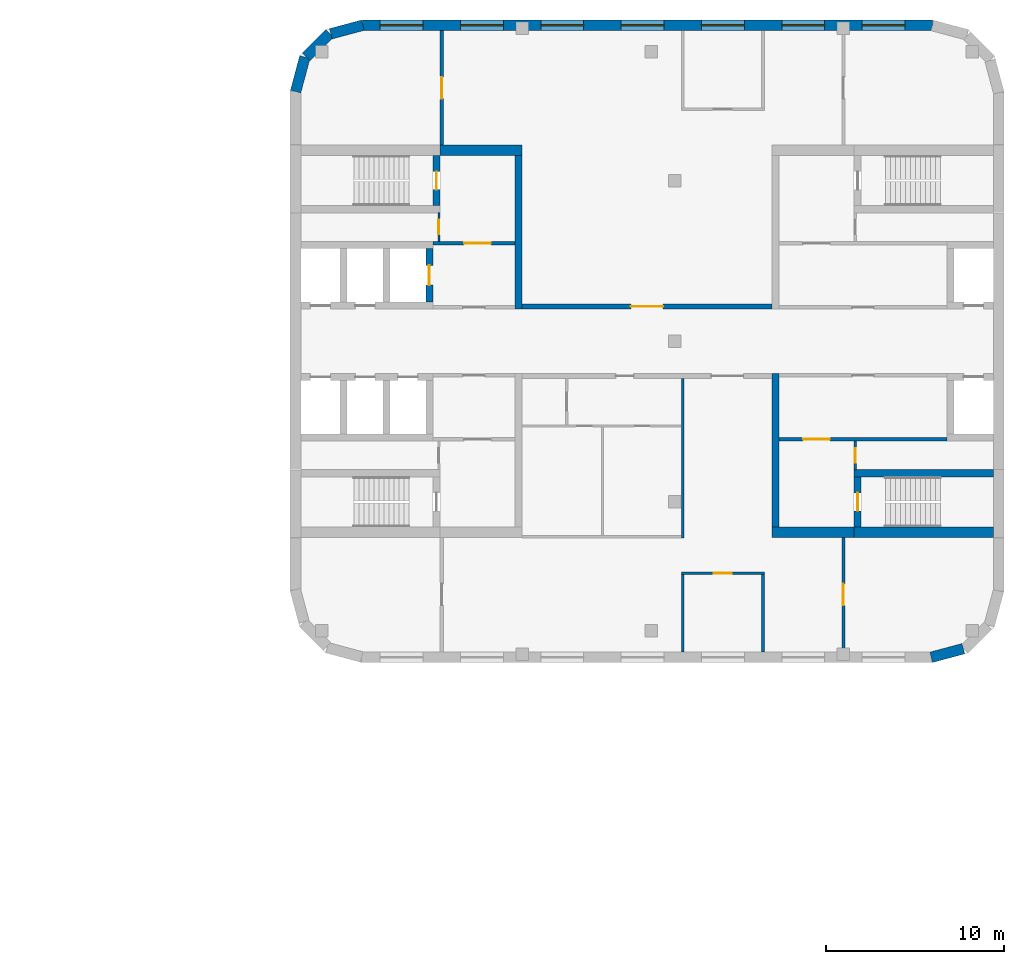
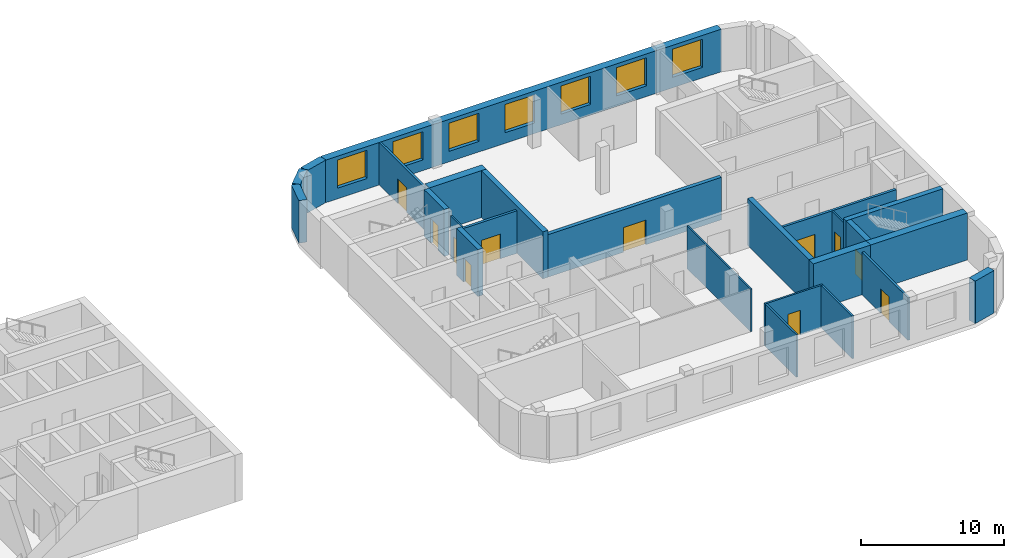
# One storey, part 8 of 12: 25 walls, 11 doors, 7 windows, 18 openings.
"""IFC4 building model written with IfcOpenShell, lengths in metres."""

from ifc_helpers import new_model, si_unit, direction, frame, frame_2d, origin, place, context, subcontext, project, spatial, rectangle, extrude, material, layer, layer_set, type_object, element, fill, save


model = new_model("IFC4")

# Units and contexts
model_context = context("Model", 3, precision=1e-05, world=origin(), true_north=direction((0.0, 1.0)))
body_context = subcontext(model_context, "Body", "Model", "MODEL_VIEW")
ifc_project = project(units=[si_unit("LENGTHUNIT", "METRE"), si_unit("AREAUNIT", "SQUARE_METRE"), si_unit("VOLUMEUNIT", "CUBIC_METRE"), si_unit("PLANEANGLEUNIT", "RADIAN"), si_unit("MASSUNIT", "GRAM", prefix="KILO")], contexts=[model_context])

# Site, building, storey
site_placement = place(None, origin())
site = spatial("IfcSite", under=ifc_project, at=site_placement, CompositionType="ELEMENT")
building_placement = place(site_placement, origin())
building = spatial("IfcBuilding", under=site, at=building_placement, Name="Skarvind Civic Tower", CompositionType="ELEMENT")
storey_placement = place(building_placement, frame((0.0, 0.0, 71.5)))
storey = spatial("IfcBuildingStorey", under=building, at=storey_placement, Name="L16", CompositionType="ELEMENT", Elevation=71.5)

# Wall, opening, door
ifc_material_1 = material(Name="Acoustic gypsum board on steel studs", Category="steel")
ifc_layer_1 = layer(ifc_material_1, 0.175048828125)
ifc_layer_set_1 = layer_set([ifc_layer_1], Name="ACOUSTIC MEETING-ROOM PARTITION 175")
wall_type_1 = type_object("IfcWallType", Name="ACOUSTIC MEETING-ROOM PARTITION 175", PredefinedType="PARTITIONING", material=ifc_layer_set_1)
wall_1_placement = place(storey_placement, frame((135.5, 145.39990234375, 0.0), z_axis=(0.0, 0.0, 1.0), x_axis=(0.0, -1.0, 0.0)))
wall_1 = element("IfcWall", 1, at=wall_1_placement, inside=storey, type_object=wall_type_1, Name="Partition 16.002", PredefinedType="PARTITIONING", context=body_context, shape_type="SweptSolid", body=[
    extrude(rectangle(XDim=6.39990234375, YDim=0.175048828125, at=frame_2d((3.199951171875, 0.0))), origin(), (0.0, 0.0, 1.0), 3.625),
])
opening_1_placement = place(wall_1_placement, frame((2.60009765625, 0.0, 0.0)))
opening_1 = element("IfcOpeningElement", 2, at=opening_1_placement, cuts=wall_1, Name="Opening L16-D103", PredefinedType="OPENING", context=body_context, shape_type="SweptSolid", body=[
    extrude(rectangle(XDim=1.199951171875, YDim=2.10009765625, at=frame_2d((0.60009765625, 1.050048828125))), frame((0.0, 0.097412109375, 0.0), z_axis=(0.0, -1.0, 0.0), x_axis=(1.0, 0.0, 0.0)), (0.0, 0.0, 1.0), 0.195068359375),
])
ifc_material_2 = material(Name="Timber door leaf", Category="wood")
door_type_1 = type_object("IfcDoorType", Name="DOOR 1200X2100 DOUBLE TIMBER", OperationType="NOTDEFINED", PredefinedType="DOOR", material=ifc_material_2)
door_1_placement = place(opening_1_placement, origin())
door_1 = element("IfcDoor", 3, at=door_1_placement, inside=storey, type_object=door_type_1, Name="Door L16-D103", OperationType="DOUBLE_DOOR_SINGLE_SWING", OverallHeight=2.10009765625, OverallWidth=1.199951171875, PredefinedType="DOOR", context=body_context, shape_type="SweptSolid", body=[
    extrude(rectangle(XDim=1.199951171875, YDim=2.10009765625, at=frame_2d((0.60009765625, 1.050048828125))), frame((0.0, 0.02490234375, 0.0), z_axis=(0.0, -1.0, 0.0), x_axis=(1.0, 0.0, 0.0)), (0.0, 0.0, 1.0), 0.050048828125),
])
fill(opening_1, door_1)

wall_2_placement = place(storey_placement, frame((158.0, 110.60009765625, 0.0), z_axis=(0.0, 0.0, 1.0), x_axis=(0.0, 1.0, 0.0)))
wall_2 = element("IfcWall", 4, at=wall_2_placement, inside=storey, type_object=wall_type_1, Name="Partition 16.016", PredefinedType="PARTITIONING", context=body_context, shape_type="SweptSolid", body=[
    extrude(rectangle(XDim=6.39990234375, YDim=0.175048828125, at=frame_2d((3.199951171875, 0.0))), origin(), (0.0, 0.0, 1.0), 3.625),
])
opening_2_placement = place(wall_2_placement, frame((2.60009765625, 0.0, 0.0)))
opening_2 = element("IfcOpeningElement", 5, at=opening_2_placement, cuts=wall_2, Name="Opening L16-D112", PredefinedType="OPENING", context=body_context, shape_type="SweptSolid", body=[
    extrude(rectangle(XDim=1.199951171875, YDim=2.10009765625, at=frame_2d((0.60009765625, 1.050048828125))), frame((0.0, 0.097412109375, 0.0), z_axis=(0.0, -1.0, 0.0), x_axis=(1.0, 0.0, 0.0)), (0.0, 0.0, 1.0), 0.195068359375),
])
door_2_placement = place(opening_2_placement, origin())
door_2 = element("IfcDoor", 6, at=door_2_placement, inside=storey, type_object=door_type_1, Name="Door L16-D112", OperationType="DOUBLE_DOOR_SINGLE_SWING", OverallHeight=2.10009765625, OverallWidth=1.199951171875, PredefinedType="DOOR", context=body_context, shape_type="SweptSolid", body=[
    extrude(rectangle(XDim=1.199951171875, YDim=2.10009765625, at=frame_2d((0.60009765625, 1.050048828125))), frame((0.0, 0.02490234375, 0.0), z_axis=(0.0, -1.0, 0.0), x_axis=(1.0, 0.0, 0.0)), (0.0, 0.0, 1.0), 0.050048828125),
])
fill(opening_2, door_2)

ifc_material_3 = material(Name="Fire-rated gypsum board on steel studs", Category="steel")
ifc_layer_2 = layer(ifc_material_3, 0.300048828125)
ifc_layer_set_2 = layer_set([ifc_layer_2], Name="CORRIDOR WALL 300")
wall_type_2 = type_object("IfcWallType", Name="CORRIDOR WALL 300", PredefinedType="PARTITIONING", material=ifc_layer_set_2)
wall_3_placement = place(storey_placement, frame((140.0, 129.949951171875, 0.0), z_axis=(0.0, 0.0, 1.0), x_axis=(1.0, 0.0, 0.0)))
wall_3 = element("IfcWall", 7, at=wall_3_placement, inside=storey, type_object=wall_type_2, Name="Partition 16.005", PredefinedType="PARTITIONING", context=body_context, shape_type="SweptSolid", body=[
    extrude(rectangle(XDim=14.0, YDim=0.300048828125, at=frame_2d((7.0, 0.0))), origin(), (0.0, 0.0, 1.0), 3.625),
])
opening_3_placement = place(wall_3_placement, frame((6.10009765625, 0.0, 0.0)))
opening_3 = element("IfcOpeningElement", 8, at=opening_3_placement, cuts=wall_3, Name="Opening L16-D101", PredefinedType="OPENING", context=body_context, shape_type="SweptSolid", body=[
    extrude(rectangle(XDim=1.800048828125, YDim=2.10009765625, at=frame_2d((0.89990234375, 1.050048828125))), frame((0.0, 0.159912109375, 0.0), z_axis=(0.0, -1.0, 0.0), x_axis=(1.0, 0.0, 0.0)), (0.0, 0.0, 1.0), 0.320068359375),
])
ifc_material_4 = material(Name="Fire-rated timber door leaf", Category="wood")
door_type_2 = type_object("IfcDoorType", Name="FD4 1800x2100", OperationType="NOTDEFINED", PredefinedType="DOOR", material=ifc_material_4)
door_3_placement = place(opening_3_placement, origin())
door_3 = element("IfcDoor", 9, at=door_3_placement, inside=storey, type_object=door_type_2, Name="Door L16-D101", OperationType="DOUBLE_DOOR_SINGLE_SWING", OverallHeight=2.10009765625, OverallWidth=1.800048828125, PredefinedType="DOOR", context=body_context, shape_type="SweptSolid", body=[
    extrude(rectangle(XDim=1.800048828125, YDim=2.10009765625, at=frame_2d((0.89990234375, 1.050048828125))), frame((0.0, 0.02490234375, 0.0), z_axis=(0.0, -1.0, 0.0), x_axis=(1.0, 0.0, 0.0)), (0.0, 0.0, 1.0), 0.050048828125),
])
fill(opening_3, door_3)

ifc_material_5 = material(Name="Fire-rated masonry partition", Category="masonry")
ifc_layer_3 = layer(ifc_material_5, 0.199951171875)
ifc_layer_set_3 = layer_set([ifc_layer_3], Name="Core enclosure wall 200")
wall_type_3 = type_object("IfcWallType", Name="Core enclosure wall 200", PredefinedType="PARTITIONING", material=ifc_layer_set_3)
wall_4_placement = place(storey_placement, frame((135.0, 133.5, 0.0), z_axis=(0.0, 0.0, 1.0), x_axis=(1.0, 0.0, 0.0)))
wall_4 = element("IfcWall", 10, at=wall_4_placement, inside=storey, type_object=wall_type_3, Name="Core wall CA", PredefinedType="PARTITIONING", context=body_context, shape_type="SweptSolid", body=[
    extrude(rectangle(XDim=4.60009765625, YDim=0.199951171875, at=frame_2d((2.300048828125, 0.0))), origin(), (0.0, 0.0, 1.0), 3.625),
])
opening_4_placement = place(wall_4_placement, frame((1.75, 0.0, 0.0)))
opening_4 = element("IfcOpeningElement", 11, at=opening_4_placement, cuts=wall_4, Name="Opening D-L16-CA-07", PredefinedType="OPENING", context=body_context, shape_type="SweptSolid", body=[
    extrude(rectangle(XDim=1.5, YDim=2.10009765625, at=frame_2d((0.75, 1.050048828125))), frame((0.0, 0.10986328125, 0.0), z_axis=(0.0, -1.0, 0.0), x_axis=(1.0, 0.0, 0.0)), (0.0, 0.0, 1.0), 0.219970703125),
])
ifc_material_6 = material(Name="Fire-rated steel door", Category="steel")
door_type_3 = type_object("IfcDoorType", Name="Fire door 1500", OperationType="NOTDEFINED", PredefinedType="DOOR", material=ifc_material_6)
door_4_placement = place(opening_4_placement, origin())
door_4 = element("IfcDoor", 12, at=door_4_placement, inside=storey, type_object=door_type_3, Name="Fire door", OperationType="DOUBLE_DOOR_SINGLE_SWING", OverallHeight=2.10009765625, OverallWidth=1.5, PredefinedType="DOOR", context=body_context, shape_type="SweptSolid", body=[
    extrude(rectangle(XDim=1.5, YDim=2.10009765625, at=frame_2d((0.75, 1.050048828125))), frame((0.0, 0.02490234375, 0.0), z_axis=(0.0, -1.0, 0.0), x_axis=(1.0, 0.0, 0.0)), (0.0, 0.0, 1.0), 0.050048828125),
])
fill(opening_4, door_4)

wall_5_placement = place(storey_placement, frame((163.800048828125, 122.5, 0.0), z_axis=(0.0, 0.0, 1.0), x_axis=(-1.0, 0.0, 0.0)))
wall_5 = element("IfcWall", 13, at=wall_5_placement, inside=storey, type_object=wall_type_3, Name="Core wall CB", PredefinedType="PARTITIONING", context=body_context, shape_type="SweptSolid", body=[
    extrude(rectangle(XDim=9.400146484375, YDim=0.199951171875, at=frame_2d((4.7001953125, 0.0))), origin(), (0.0, 0.0, 1.0), 3.625),
])
opening_5_placement = place(wall_5_placement, frame((6.550048828125, 0.0, 0.0)))
opening_5 = element("IfcOpeningElement", 14, at=opening_5_placement, cuts=wall_5, Name="Opening D-L16-CB-04", PredefinedType="OPENING", context=body_context, shape_type="SweptSolid", body=[
    extrude(rectangle(XDim=1.5, YDim=2.10009765625, at=frame_2d((0.75, 1.050048828125))), frame((0.0, 0.10986328125, 0.0), z_axis=(0.0, -1.0, 0.0), x_axis=(1.0, 0.0, 0.0)), (0.0, 0.0, 1.0), 0.219970703125),
])
door_5_placement = place(opening_5_placement, origin())
door_5 = element("IfcDoor", 15, at=door_5_placement, inside=storey, type_object=door_type_3, Name="Fire door", OperationType="DOUBLE_DOOR_SINGLE_SWING", OverallHeight=2.10009765625, OverallWidth=1.5, PredefinedType="DOOR", context=body_context, shape_type="SweptSolid", body=[
    extrude(rectangle(XDim=1.5, YDim=2.10009765625, at=frame_2d((0.75, 1.050048828125))), frame((0.0, 0.02490234375, 0.0), z_axis=(0.0, -1.0, 0.0), x_axis=(1.0, 0.0, 0.0)), (0.0, 0.0, 1.0), 0.050048828125),
])
fill(opening_5, door_5)

ifc_material_7 = material(Name="Concrete C80", Category="concrete")
ifc_layer_4 = layer(ifc_material_7, 0.39990234375)
ifc_layer_set_4 = layer_set([ifc_layer_4], Name="Core wall 400 C80")
wall_type_4 = type_object("IfcWallType", Name="Core wall 400 C80", PredefinedType="SHEAR", material=ifc_layer_set_4)
wall_6_placement = place(storey_placement, frame((135.199951171875, 135.60009765625, 0.0), z_axis=(0.0, 0.0, 1.0), x_axis=(0.0, 1.0, 0.0)))
wall_6 = element("IfcWall", 16, at=wall_6_placement, inside=storey, type_object=wall_type_4, Name="Core wall CA north stair end L16", PredefinedType="SHEAR", context=body_context, shape_type="SweptSolid", body=[
    extrude(rectangle(XDim=2.7998046875, YDim=0.39990234375, at=frame_2d((1.39990234375, 0.0))), origin(), (0.0, 0.0, 1.0), 4.0),
])
opening_6_placement = place(wall_6_placement, frame((0.89990234375, 0.0, 0.0)))
opening_6 = element("IfcOpeningElement", 17, at=opening_6_placement, cuts=wall_6, Name="Opening D-L16-CA-08", PredefinedType="OPENING", context=body_context, shape_type="SweptSolid", body=[
    extrude(rectangle(XDim=1.0, YDim=2.10009765625, at=frame_2d((0.5, 1.050048828125))), frame((0.0, 0.2099609375, 0.0), z_axis=(0.0, -1.0, 0.0), x_axis=(1.0, 0.0, 0.0)), (0.0, 0.0, 1.0), 0.419921875),
])
door_type_4 = type_object("IfcDoorType", Name="Fire door 1000", OperationType="NOTDEFINED", PredefinedType="DOOR", material=ifc_material_6)
door_6_placement = place(opening_6_placement, origin())
door_6 = element("IfcDoor", 18, at=door_6_placement, inside=storey, type_object=door_type_4, Name="Fire door", OperationType="SINGLE_SWING_LEFT", OverallHeight=2.10009765625, OverallWidth=1.0, PredefinedType="DOOR", context=body_context, shape_type="SweptSolid", body=[
    extrude(rectangle(XDim=1.0, YDim=2.10009765625, at=frame_2d((0.5, 1.050048828125))), frame((0.0, 0.02490234375, 0.0), z_axis=(0.0, -1.0, 0.0), x_axis=(1.0, 0.0, 0.0)), (0.0, 0.0, 1.0), 0.050048828125),
])
fill(opening_6, door_6)

wall_7_placement = place(storey_placement, frame((134.800048828125, 130.199951171875, 0.0), z_axis=(0.0, 0.0, 1.0), x_axis=(0.0, 1.0, 0.0)))
wall_7 = element("IfcWall", 19, at=wall_7_placement, inside=storey, type_object=wall_type_4, Name="Core wall CA north lift row division 3 L16", PredefinedType="SHEAR", context=body_context, shape_type="SweptSolid", body=[
    extrude(rectangle(XDim=3.0, YDim=0.39990234375, at=frame_2d((1.5, 0.0))), origin(), (0.0, 0.0, 1.0), 4.0),
])
opening_7_placement = place(wall_7_placement, frame((0.949951171875, 0.0, 0.0)))
opening_7 = element("IfcOpeningElement", 20, at=opening_7_placement, cuts=wall_7, Name="Opening LD18303", PredefinedType="OPENING", context=body_context, shape_type="SweptSolid", body=[
    extrude(rectangle(XDim=1.10009765625, YDim=2.10009765625, at=frame_2d((0.550048828125, 1.050048828125))), frame((0.0, 0.2099609375, 0.0), z_axis=(0.0, -1.0, 0.0), x_axis=(1.0, 0.0, 0.0)), (0.0, 0.0, 1.0), 0.419921875),
])
ifc_material_8 = material(Name="Stainless steel landing door", Category="steel")
door_type_5 = type_object("IfcDoorType", Name="Lift landing door 1100", OperationType="DOUBLE_DOOR_SLIDING", PredefinedType="DOOR", material=ifc_material_8)
door_7_placement = place(opening_7_placement, origin())
door_7 = element("IfcDoor", 21, at=door_7_placement, inside=storey, type_object=door_type_5, Name="Lift landing door", OperationType="DOUBLE_DOOR_SLIDING", OverallHeight=2.10009765625, OverallWidth=1.10009765625, PredefinedType="DOOR", context=body_context, shape_type="SweptSolid", body=[
    extrude(rectangle(XDim=1.10009765625, YDim=2.10009765625, at=frame_2d((0.550048828125, 1.050048828125))), frame((0.0, 0.02490234375, 0.0), z_axis=(0.0, -1.0, 0.0), x_axis=(1.0, 0.0, 0.0)), (0.0, 0.0, 1.0), 0.050048828125),
])
fill(opening_7, door_7)

# Walls
wall_8_placement = place(storey_placement, frame((139.800048828125, 129.800048828125, 0.0), z_axis=(0.0, 0.0, 1.0), x_axis=(0.0, 1.0, 0.0)))
element("IfcWall", 22, at=wall_8_placement, inside=storey, type_object=wall_type_4, Name="Core wall CA north inner face L16", PredefinedType="SHEAR", context=body_context, shape_type="SweptSolid", body=[
    extrude(rectangle(XDim=8.599853515625, YDim=0.39990234375, at=frame_2d((4.2998046875, 0.0))), origin(), (0.0, 0.0, 1.0), 4.0),
])
wall_9_placement = place(storey_placement, frame((166.39990234375, 120.60009765625, 0.0), z_axis=(0.0, 0.0, 1.0), x_axis=(-1.0, 0.0, 0.0)))
element("IfcWall", 23, at=wall_9_placement, inside=storey, type_object=wall_type_4, Name="Core wall CB north stair inner L16", PredefinedType="SHEAR", context=body_context, shape_type="SweptSolid", body=[
    extrude(rectangle(XDim=7.7998046875, YDim=0.39990234375, at=frame_2d((3.89990234375, 0.0))), origin(), (0.0, 0.0, 1.0), 4.0),
])

# Wall, opening, door
wall_10_placement = place(storey_placement, frame((158.800048828125, 120.39990234375, 0.0), z_axis=(0.0, 0.0, 1.0), x_axis=(0.0, -1.0, 0.0)))
wall_10 = element("IfcWall", 24, at=wall_10_placement, inside=storey, type_object=wall_type_4, Name="Core wall CB north stair end L16", PredefinedType="SHEAR", context=body_context, shape_type="SweptSolid", body=[
    extrude(rectangle(XDim=2.7998046875, YDim=0.39990234375, at=frame_2d((1.39990234375, 0.0))), origin(), (0.0, 0.0, 1.0), 4.0),
])
opening_8_placement = place(wall_10_placement, frame((0.89990234375, 0.0, 0.0)))
opening_8 = element("IfcOpeningElement", 25, at=opening_8_placement, cuts=wall_10, Name="Opening D-L16-CB-05", PredefinedType="OPENING", context=body_context, shape_type="SweptSolid", body=[
    extrude(rectangle(XDim=1.0, YDim=2.10009765625, at=frame_2d((0.5, 1.050048828125))), frame((0.0, 0.2099609375, 0.0), z_axis=(0.0, -1.0, 0.0), x_axis=(1.0, 0.0, 0.0)), (0.0, 0.0, 1.0), 0.419921875),
])
door_8_placement = place(opening_8_placement, origin())
door_8 = element("IfcDoor", 26, at=door_8_placement, inside=storey, type_object=door_type_4, Name="Fire door", OperationType="SINGLE_SWING_LEFT", OverallHeight=2.10009765625, OverallWidth=1.0, PredefinedType="DOOR", context=body_context, shape_type="SweptSolid", body=[
    extrude(rectangle(XDim=1.0, YDim=2.10009765625, at=frame_2d((0.5, 1.050048828125))), frame((0.0, 0.02490234375, 0.0), z_axis=(0.0, -1.0, 0.0), x_axis=(1.0, 0.0, 0.0)), (0.0, 0.0, 1.0), 0.050048828125),
])
fill(opening_8, door_8)

# Walls
wall_11_placement = place(storey_placement, frame((154.199951171875, 126.199951171875, 0.0), z_axis=(0.0, 0.0, 1.0), x_axis=(0.0, -1.0, 0.0)))
element("IfcWall", 27, at=wall_11_placement, inside=storey, type_object=wall_type_4, Name="Core wall CB north inner face L16", PredefinedType="SHEAR", context=body_context, shape_type="SweptSolid", body=[
    extrude(rectangle(XDim=8.599853515625, YDim=0.39990234375, at=frame_2d((4.2998046875, 0.0))), origin(), (0.0, 0.0, 1.0), 4.0),
])
ifc_layer_5 = layer(ifc_material_7, 0.60009765625)
ifc_layer_set_5 = layer_set([ifc_layer_5], Name="Core wall 600 C80")
wall_type_5 = type_object("IfcWallType", Name="Core wall 600 C80", PredefinedType="SHEAR", material=ifc_layer_set_5)
wall_12_placement = place(storey_placement, frame((135.39990234375, 138.699951171875, 0.0), z_axis=(0.0, 0.0, 1.0), x_axis=(1.0, 0.0, 0.0)))
element("IfcWall", 28, at=wall_12_placement, inside=storey, type_object=wall_type_5, Name="Core wall CA north side L16", PredefinedType="SHEAR", context=body_context, shape_type="SweptSolid", body=[
    extrude(rectangle(XDim=4.60009765625, YDim=0.60009765625, at=frame_2d((2.300048828125, 0.0))), origin(), (0.0, 0.0, 1.0), 4.0),
])
wall_13_placement = place(storey_placement, frame((166.39990234375, 117.300048828125, 0.0), z_axis=(0.0, 0.0, 1.0), x_axis=(-1.0, 0.0, 0.0)))
element("IfcWall", 29, at=wall_13_placement, inside=storey, type_object=wall_type_5, Name="Core wall CB north side at the stair L16", PredefinedType="SHEAR", context=body_context, shape_type="SweptSolid", body=[
    extrude(rectangle(XDim=7.7998046875, YDim=0.60009765625, at=frame_2d((3.89990234375, 0.0))), origin(), (0.0, 0.0, 1.0), 4.0),
])
wall_14_placement = place(storey_placement, frame((158.60009765625, 117.300048828125, 0.0), z_axis=(0.0, 0.0, 1.0), x_axis=(-1.0, 0.0, 0.0)))
element("IfcWall", 30, at=wall_14_placement, inside=storey, type_object=wall_type_5, Name="Core wall CB north side L16", PredefinedType="SHEAR", context=body_context, shape_type="SweptSolid", body=[
    extrude(rectangle(XDim=4.60009765625, YDim=0.60009765625, at=frame_2d((2.300048828125, 0.0))), origin(), (0.0, 0.0, 1.0), 4.0),
])
ifc_material_9 = material(Name="Plasterboard partition on steel studs", Category="steel")
ifc_layer_6 = layer(ifc_material_9, 0.14990234375)
ifc_layer_set_6 = layer_set([ifc_layer_6], Name="PARTITION 150")
wall_type_6 = type_object("IfcWallType", Name="PARTITION 150", PredefinedType="PARTITIONING", material=ifc_layer_set_6)
wall_15_placement = place(storey_placement, frame((149.0, 110.60009765625, 0.0), z_axis=(0.0, 0.0, 1.0), x_axis=(0.0, 1.0, 0.0)))
element("IfcWall", 31, at=wall_15_placement, inside=storey, type_object=wall_type_6, Name="Partition 16.008", PredefinedType="PARTITIONING", context=body_context, shape_type="SweptSolid", body=[
    extrude(rectangle(XDim=4.324951171875, YDim=0.14990234375, at=frame_2d((2.16259765625, 0.0))), origin(), (0.0, 0.0, 1.0), 3.625),
])

# Wall, opening, door
wall_16_placement = place(storey_placement, frame((148.925048828125, 115.0, 0.0), z_axis=(0.0, 0.0, 1.0), x_axis=(1.0, 0.0, 0.0)))
wall_16 = element("IfcWall", 32, at=wall_16_placement, inside=storey, type_object=wall_type_6, Name="Partition 16.009", PredefinedType="PARTITIONING", context=body_context, shape_type="SweptSolid", body=[
    extrude(rectangle(XDim=4.64990234375, YDim=0.14990234375, at=frame_2d((2.324951171875, 0.0))), origin(), (0.0, 0.0, 1.0), 3.625),
])
opening_9_placement = place(wall_16_placement, frame((1.824951171875, 0.0, 0.0)))
opening_9 = element("IfcOpeningElement", 33, at=opening_9_placement, cuts=wall_16, Name="Opening L16-D110", PredefinedType="OPENING", context=body_context, shape_type="SweptSolid", body=[
    extrude(rectangle(XDim=1.0, YDim=2.10009765625, at=frame_2d((0.5, 1.050048828125))), frame((0.0, 0.0849609375, 0.0), z_axis=(0.0, -1.0, 0.0), x_axis=(1.0, 0.0, 0.0)), (0.0, 0.0, 1.0), 0.169921875),
])
door_type_6 = type_object("IfcDoorType", Name="D1 1000x2100", OperationType="NOTDEFINED", PredefinedType="DOOR", material=ifc_material_2)
door_9_placement = place(opening_9_placement, origin())
door_9 = element("IfcDoor", 34, at=door_9_placement, inside=storey, type_object=door_type_6, Name="Door L16-D110", OperationType="SINGLE_SWING_LEFT", OverallHeight=2.10009765625, OverallWidth=1.0, PredefinedType="DOOR", context=body_context, shape_type="SweptSolid", body=[
    extrude(rectangle(XDim=1.0, YDim=2.10009765625, at=frame_2d((0.5, 1.050048828125))), frame((0.0, 0.02490234375, 0.0), z_axis=(0.0, -1.0, 0.0), x_axis=(1.0, 0.0, 0.0)), (0.0, 0.0, 1.0), 0.050048828125),
])
fill(opening_9, door_9)

# Wall
wall_17_placement = place(storey_placement, frame((153.5, 114.925048828125, 0.0), z_axis=(0.0, 0.0, 1.0), x_axis=(0.0, -1.0, 0.0)))
element("IfcWall", 35, at=wall_17_placement, inside=storey, type_object=wall_type_6, Name="Partition 16.012", PredefinedType="PARTITIONING", context=body_context, shape_type="SweptSolid", body=[
    extrude(rectangle(XDim=4.324951171875, YDim=0.14990234375, at=frame_2d((2.16259765625, 0.0))), origin(), (0.0, 0.0, 1.0), 3.625),
])

# Wall, opening, door
ifc_layer_7 = layer(ifc_material_5, 0.125)
ifc_layer_set_7 = layer_set([ifc_layer_7], Name="Riser wall 125")
wall_type_7 = type_object("IfcWallType", Name="Riser wall 125", PredefinedType="PARTITIONING", material=ifc_layer_set_7)
wall_18_placement = place(storey_placement, frame((135.33740234375, 135.199951171875, 0.0), z_axis=(0.0, 0.0, 1.0), x_axis=(0.0, -1.0, 0.0)))
wall_18 = element("IfcWall", 36, at=wall_18_placement, inside=storey, type_object=wall_type_7, Name="Core wall CA", PredefinedType="PARTITIONING", context=body_context, shape_type="SweptSolid", body=[
    extrude(rectangle(XDim=1.599853515625, YDim=0.125, at=frame_2d((0.7998046875, 0.0))), origin(), (0.0, 0.0, 1.0), 3.625),
])
opening_10_placement = place(wall_18_placement, frame((0.39990234375, 0.0, 0.0)))
opening_10 = element("IfcOpeningElement", 37, at=opening_10_placement, cuts=wall_18, Name="Opening D-L16-CA-09", PredefinedType="OPENING", context=body_context, shape_type="SweptSolid", body=[
    extrude(rectangle(XDim=0.800048828125, YDim=2.10009765625, at=frame_2d((0.39990234375, 1.050048828125))), frame((0.0, 0.072509765625, 0.0), z_axis=(0.0, -1.0, 0.0), x_axis=(1.0, 0.0, 0.0)), (0.0, 0.0, 1.0), 0.14501953125),
])
door_type_7 = type_object("IfcDoorType", Name="Core riser door 800", OperationType="NOTDEFINED", PredefinedType="DOOR", material=ifc_material_6)
door_10_placement = place(opening_10_placement, origin())
door_10 = element("IfcDoor", 38, at=door_10_placement, inside=storey, type_object=door_type_7, Name="Riser door", OperationType="SINGLE_SWING_RIGHT", OverallHeight=2.10009765625, OverallWidth=0.800048828125, PredefinedType="DOOR", context=body_context, shape_type="SweptSolid", body=[
    extrude(rectangle(XDim=0.800048828125, YDim=2.10009765625, at=frame_2d((0.39990234375, 1.050048828125))), frame((0.0, 0.02490234375, 0.0), z_axis=(0.0, -1.0, 0.0), x_axis=(1.0, 0.0, 0.0)), (0.0, 0.0, 1.0), 0.050048828125),
])
fill(opening_10, door_10)

wall_19_placement = place(storey_placement, frame((158.66259765625, 120.800048828125, 0.0), z_axis=(0.0, 0.0, 1.0), x_axis=(0.0, 1.0, 0.0)))
wall_19 = element("IfcWall", 39, at=wall_19_placement, inside=storey, type_object=wall_type_7, Name="Core wall CB", PredefinedType="PARTITIONING", context=body_context, shape_type="SweptSolid", body=[
    extrude(rectangle(XDim=1.599853515625, YDim=0.125, at=frame_2d((0.7998046875, 0.0))), origin(), (0.0, 0.0, 1.0), 3.625),
])
opening_11_placement = place(wall_19_placement, frame((0.39990234375, 0.0, 0.0)))
opening_11 = element("IfcOpeningElement", 40, at=opening_11_placement, cuts=wall_19, Name="Opening D-L16-CB-06", PredefinedType="OPENING", context=body_context, shape_type="SweptSolid", body=[
    extrude(rectangle(XDim=0.800048828125, YDim=2.10009765625, at=frame_2d((0.39990234375, 1.050048828125))), frame((0.0, 0.072509765625, 0.0), z_axis=(0.0, -1.0, 0.0), x_axis=(1.0, 0.0, 0.0)), (0.0, 0.0, 1.0), 0.14501953125),
])
door_11_placement = place(opening_11_placement, origin())
door_11 = element("IfcDoor", 41, at=door_11_placement, inside=storey, type_object=door_type_7, Name="Riser door", OperationType="SINGLE_SWING_RIGHT", OverallHeight=2.10009765625, OverallWidth=0.800048828125, PredefinedType="DOOR", context=body_context, shape_type="SweptSolid", body=[
    extrude(rectangle(XDim=0.800048828125, YDim=2.10009765625, at=frame_2d((0.39990234375, 1.050048828125))), frame((0.0, 0.02490234375, 0.0), z_axis=(0.0, -1.0, 0.0), x_axis=(1.0, 0.0, 0.0)), (0.0, 0.0, 1.0), 0.050048828125),
])
fill(opening_11, door_11)

# Wall
ifc_material_10 = material(Name="Moisture-resistant gypsum board on steel studs", Category="steel")
ifc_layer_8 = layer(ifc_material_10, 0.125)
ifc_layer_set_8 = layer_set([ifc_layer_8], Name="WC PARTITION 125")
wall_type_8 = type_object("IfcWallType", Name="WC PARTITION 125", PredefinedType="PARTITIONING", material=ifc_layer_set_8)
wall_20_placement = place(storey_placement, frame((149.0, 116.988037109375, 0.0), z_axis=(0.0, 0.0, 1.0), x_axis=(0.0, 1.0, 0.0)))
element("IfcWall", 42, at=wall_20_placement, inside=storey, type_object=wall_type_8, Name="Partition 16.010", PredefinedType="PARTITIONING", context=body_context, shape_type="SweptSolid", body=[
    extrude(rectangle(XDim=8.911865234375, YDim=0.125, at=frame_2d((4.4560546875, 0.0))), origin(), (0.0, 0.0, 1.0), 3.625),
])

# Wall, openings, windows
ifc_material_11 = material(Name="Limestone masonry cladding on insulated backing", Category="masonry")
ifc_layer_9 = layer(ifc_material_11, 0.60009765625)
ifc_layer_set_9 = layer_set([ifc_layer_9], Name="WX1 STONE FACADE WALL 600")
wall_type_9 = type_object("IfcWallType", Name="WX1 STONE FACADE WALL 600", PredefinedType="SOLIDWALL", material=ifc_layer_set_9)
wall_21_placement = place(storey_placement, frame((131.070068359375, 145.699951171875, 0.0), z_axis=(0.0, 0.0, 1.0), x_axis=(1.0, 0.0, 0.0)))
wall_21 = element("IfcWall", 43, at=wall_21_placement, inside=storey, type_object=wall_type_9, Name="STONE FACADE WALL", PredefinedType="SOLIDWALL", context=body_context, shape_type="SweptSolid", body=[
    extrude(rectangle(XDim=31.929931640625, YDim=0.60009765625, at=frame_2d((15.96484375, 0.0))), origin(), (0.0, 0.0, 1.0), 3.625),
])
opening_12_placement = place(wall_21_placement, frame((0.97998046875, 0.0, 0.89990234375)))
opening_12 = element("IfcOpeningElement", 44, at=opening_12_placement, cuts=wall_21, Name="Opening WN9", PredefinedType="OPENING", context=body_context, shape_type="SweptSolid", body=[
    extrude(rectangle(XDim=2.39990234375, YDim=2.39990234375, at=frame_2d((1.199951171875, 1.199951171875))), frame((0.0, 0.31005859375, 0.0), z_axis=(0.0, -1.0, 0.0), x_axis=(1.0, 0.0, 0.0)), (0.0, 0.0, 1.0), 0.6201171875),
])
opening_13_placement = place(wall_21_placement, frame((5.47998046875, 0.0, 0.89990234375)))
opening_13 = element("IfcOpeningElement", 45, at=opening_13_placement, cuts=wall_21, Name="Opening WN9", PredefinedType="OPENING", context=body_context, shape_type="SweptSolid", body=[
    extrude(rectangle(XDim=2.39990234375, YDim=2.39990234375, at=frame_2d((1.199951171875, 1.199951171875))), frame((0.0, 0.31005859375, 0.0), z_axis=(0.0, -1.0, 0.0), x_axis=(1.0, 0.0, 0.0)), (0.0, 0.0, 1.0), 0.6201171875),
])
opening_14_placement = place(wall_21_placement, frame((9.97998046875, 0.0, 0.89990234375)))
opening_14 = element("IfcOpeningElement", 46, at=opening_14_placement, cuts=wall_21, Name="Opening WN9", PredefinedType="OPENING", context=body_context, shape_type="SweptSolid", body=[
    extrude(rectangle(XDim=2.39990234375, YDim=2.39990234375, at=frame_2d((1.199951171875, 1.199951171875))), frame((0.0, 0.31005859375, 0.0), z_axis=(0.0, -1.0, 0.0), x_axis=(1.0, 0.0, 0.0)), (0.0, 0.0, 1.0), 0.6201171875),
])
opening_15_placement = place(wall_21_placement, frame((14.47998046875, 0.0, 0.89990234375)))
opening_15 = element("IfcOpeningElement", 47, at=opening_15_placement, cuts=wall_21, Name="Opening WN9", PredefinedType="OPENING", context=body_context, shape_type="SweptSolid", body=[
    extrude(rectangle(XDim=2.39990234375, YDim=2.39990234375, at=frame_2d((1.199951171875, 1.199951171875))), frame((0.0, 0.31005859375, 0.0), z_axis=(0.0, -1.0, 0.0), x_axis=(1.0, 0.0, 0.0)), (0.0, 0.0, 1.0), 0.6201171875),
])
opening_16_placement = place(wall_21_placement, frame((18.97998046875, 0.0, 0.89990234375)))
opening_16 = element("IfcOpeningElement", 48, at=opening_16_placement, cuts=wall_21, Name="Opening WN9", PredefinedType="OPENING", context=body_context, shape_type="SweptSolid", body=[
    extrude(rectangle(XDim=2.39990234375, YDim=2.39990234375, at=frame_2d((1.199951171875, 1.199951171875))), frame((0.0, 0.31005859375, 0.0), z_axis=(0.0, -1.0, 0.0), x_axis=(1.0, 0.0, 0.0)), (0.0, 0.0, 1.0), 0.6201171875),
])
opening_17_placement = place(wall_21_placement, frame((23.47998046875, 0.0, 0.89990234375)))
opening_17 = element("IfcOpeningElement", 49, at=opening_17_placement, cuts=wall_21, Name="Opening WN9", PredefinedType="OPENING", context=body_context, shape_type="SweptSolid", body=[
    extrude(rectangle(XDim=2.39990234375, YDim=2.39990234375, at=frame_2d((1.199951171875, 1.199951171875))), frame((0.0, 0.31005859375, 0.0), z_axis=(0.0, -1.0, 0.0), x_axis=(1.0, 0.0, 0.0)), (0.0, 0.0, 1.0), 0.6201171875),
])
opening_18_placement = place(wall_21_placement, frame((27.97998046875, 0.0, 0.89990234375)))
opening_18 = element("IfcOpeningElement", 50, at=opening_18_placement, cuts=wall_21, Name="Opening WN9", PredefinedType="OPENING", context=body_context, shape_type="SweptSolid", body=[
    extrude(rectangle(XDim=2.39990234375, YDim=2.39990234375, at=frame_2d((1.199951171875, 1.199951171875))), frame((0.0, 0.31005859375, 0.0), z_axis=(0.0, -1.0, 0.0), x_axis=(1.0, 0.0, 0.0)), (0.0, 0.0, 1.0), 0.6201171875),
])
ifc_material_12 = material(Name="Timber frame, double glazing, timber-lined reveal", Category="wood")
window_type = type_object("IfcWindowType", Name="WN9 COMPANION TOWER WINDOW 2400 x 2400", PartitioningType="SINGLE_PANEL", PredefinedType="WINDOW", material=ifc_material_12)
window_1_placement = place(opening_12_placement, origin())
window_1 = element("IfcWindow", 51, at=window_1_placement, inside=storey, type_object=window_type, Name="WN9 WINDOW", OverallHeight=2.39990234375, OverallWidth=2.39990234375, PartitioningType="SINGLE_PANEL", PredefinedType="WINDOW", context=body_context, shape_type="SweptSolid", body=[
    extrude(rectangle(XDim=2.39990234375, YDim=2.39990234375, at=frame_2d((1.199951171875, 1.199951171875))), frame((0.0, 0.030029296875, 0.0), z_axis=(0.0, -1.0, 0.0), x_axis=(1.0, 0.0, 0.0)), (0.0, 0.0, 1.0), 0.06005859375),
])
fill(opening_12, window_1)
window_2_placement = place(opening_13_placement, origin())
window_2 = element("IfcWindow", 52, at=window_2_placement, inside=storey, type_object=window_type, Name="WN9 WINDOW", OverallHeight=2.39990234375, OverallWidth=2.39990234375, PartitioningType="SINGLE_PANEL", PredefinedType="WINDOW", context=body_context, shape_type="SweptSolid", body=[
    extrude(rectangle(XDim=2.39990234375, YDim=2.39990234375, at=frame_2d((1.199951171875, 1.199951171875))), frame((0.0, 0.030029296875, 0.0), z_axis=(0.0, -1.0, 0.0), x_axis=(1.0, 0.0, 0.0)), (0.0, 0.0, 1.0), 0.06005859375),
])
fill(opening_13, window_2)
window_3_placement = place(opening_14_placement, origin())
window_3 = element("IfcWindow", 53, at=window_3_placement, inside=storey, type_object=window_type, Name="WN9 WINDOW", OverallHeight=2.39990234375, OverallWidth=2.39990234375, PartitioningType="SINGLE_PANEL", PredefinedType="WINDOW", context=body_context, shape_type="SweptSolid", body=[
    extrude(rectangle(XDim=2.39990234375, YDim=2.39990234375, at=frame_2d((1.199951171875, 1.199951171875))), frame((0.0, 0.030029296875, 0.0), z_axis=(0.0, -1.0, 0.0), x_axis=(1.0, 0.0, 0.0)), (0.0, 0.0, 1.0), 0.06005859375),
])
fill(opening_14, window_3)
window_4_placement = place(opening_15_placement, origin())
window_4 = element("IfcWindow", 54, at=window_4_placement, inside=storey, type_object=window_type, Name="WN9 WINDOW", OverallHeight=2.39990234375, OverallWidth=2.39990234375, PartitioningType="SINGLE_PANEL", PredefinedType="WINDOW", context=body_context, shape_type="SweptSolid", body=[
    extrude(rectangle(XDim=2.39990234375, YDim=2.39990234375, at=frame_2d((1.199951171875, 1.199951171875))), frame((0.0, 0.030029296875, 0.0), z_axis=(0.0, -1.0, 0.0), x_axis=(1.0, 0.0, 0.0)), (0.0, 0.0, 1.0), 0.06005859375),
])
fill(opening_15, window_4)
window_5_placement = place(opening_16_placement, origin())
window_5 = element("IfcWindow", 55, at=window_5_placement, inside=storey, type_object=window_type, Name="WN9 WINDOW", OverallHeight=2.39990234375, OverallWidth=2.39990234375, PartitioningType="SINGLE_PANEL", PredefinedType="WINDOW", context=body_context, shape_type="SweptSolid", body=[
    extrude(rectangle(XDim=2.39990234375, YDim=2.39990234375, at=frame_2d((1.199951171875, 1.199951171875))), frame((0.0, 0.030029296875, 0.0), z_axis=(0.0, -1.0, 0.0), x_axis=(1.0, 0.0, 0.0)), (0.0, 0.0, 1.0), 0.06005859375),
])
fill(opening_16, window_5)
window_6_placement = place(opening_17_placement, origin())
window_6 = element("IfcWindow", 56, at=window_6_placement, inside=storey, type_object=window_type, Name="WN9 WINDOW", OverallHeight=2.39990234375, OverallWidth=2.39990234375, PartitioningType="SINGLE_PANEL", PredefinedType="WINDOW", context=body_context, shape_type="SweptSolid", body=[
    extrude(rectangle(XDim=2.39990234375, YDim=2.39990234375, at=frame_2d((1.199951171875, 1.199951171875))), frame((0.0, 0.030029296875, 0.0), z_axis=(0.0, -1.0, 0.0), x_axis=(1.0, 0.0, 0.0)), (0.0, 0.0, 1.0), 0.06005859375),
])
fill(opening_17, window_6)
window_7_placement = place(opening_18_placement, origin())
window_7 = element("IfcWindow", 57, at=window_7_placement, inside=storey, type_object=window_type, Name="WN9 WINDOW", OverallHeight=2.39990234375, OverallWidth=2.39990234375, PartitioningType="SINGLE_PANEL", PredefinedType="WINDOW", context=body_context, shape_type="SweptSolid", body=[
    extrude(rectangle(XDim=2.39990234375, YDim=2.39990234375, at=frame_2d((1.199951171875, 1.199951171875))), frame((0.0, 0.030029296875, 0.0), z_axis=(0.0, -1.0, 0.0), x_axis=(1.0, 0.0, 0.0)), (0.0, 0.0, 1.0), 0.06005859375),
])
fill(opening_18, window_7)

# Walls
for number, where, z_axis, x_axis, name in (
    (58, (129.280517578125, 145.228759765625, 0.0), (0.0, 0.0, 1.0), (0.965938094805, 0.258773254036, 0.0), "STONE FACADE WALL"),
    (59, (127.896484375, 143.936279296875, 0.0), (0.0, 0.0, 1.0), (0.707106781187, 0.707106781187, 0.0), "STONE FACADE WALL"),
):
    element("IfcWall", number, at=place(storey_placement, frame(where, z_axis=z_axis, x_axis=x_axis)), inside=storey, type_object=wall_type_9, Name=name, PredefinedType="SOLIDWALL", context=body_context, shape_type="SweptSolid", body=[
        extrude(rectangle(XDim=1.860595703125, YDim=0.60009765625, at=frame_2d((0.93017578125, 0.0))), origin(), (0.0, 0.0, 1.0), 3.625),
    ])
wall_22_placement = place(storey_placement, frame((127.307861328125, 141.989990234375, 0.0), z_axis=(0.0, 0.0, 1.0), x_axis=(0.258839784042, 0.965920269068, 0.0)))
element("IfcWall", 60, at=wall_22_placement, inside=storey, type_object=wall_type_9, Name="STONE FACADE WALL", PredefinedType="SOLIDWALL", context=body_context, shape_type="SweptSolid", body=[
    extrude(rectangle(XDim=2.00048828125, YDim=0.60009765625, at=frame_2d((1.000244140625, 0.0))), origin(), (0.0, 0.0, 1.0), 3.625),
])
wall_23_placement = place(storey_placement, frame((164.719482421875, 110.771240234375, 0.0), z_axis=(0.0, 0.0, 1.0), x_axis=(-0.965938094805, -0.258773254036, 0.0)))
element("IfcWall", 61, at=wall_23_placement, inside=storey, type_object=wall_type_9, Name="STONE FACADE WALL", PredefinedType="SOLIDWALL", context=body_context, shape_type="SweptSolid", body=[
    extrude(rectangle(XDim=1.860595703125, YDim=0.60009765625, at=frame_2d((0.93017578125, 0.0))), origin(), (0.0, 0.0, 1.0), 3.625),
])

save(model, "model.ifc")
